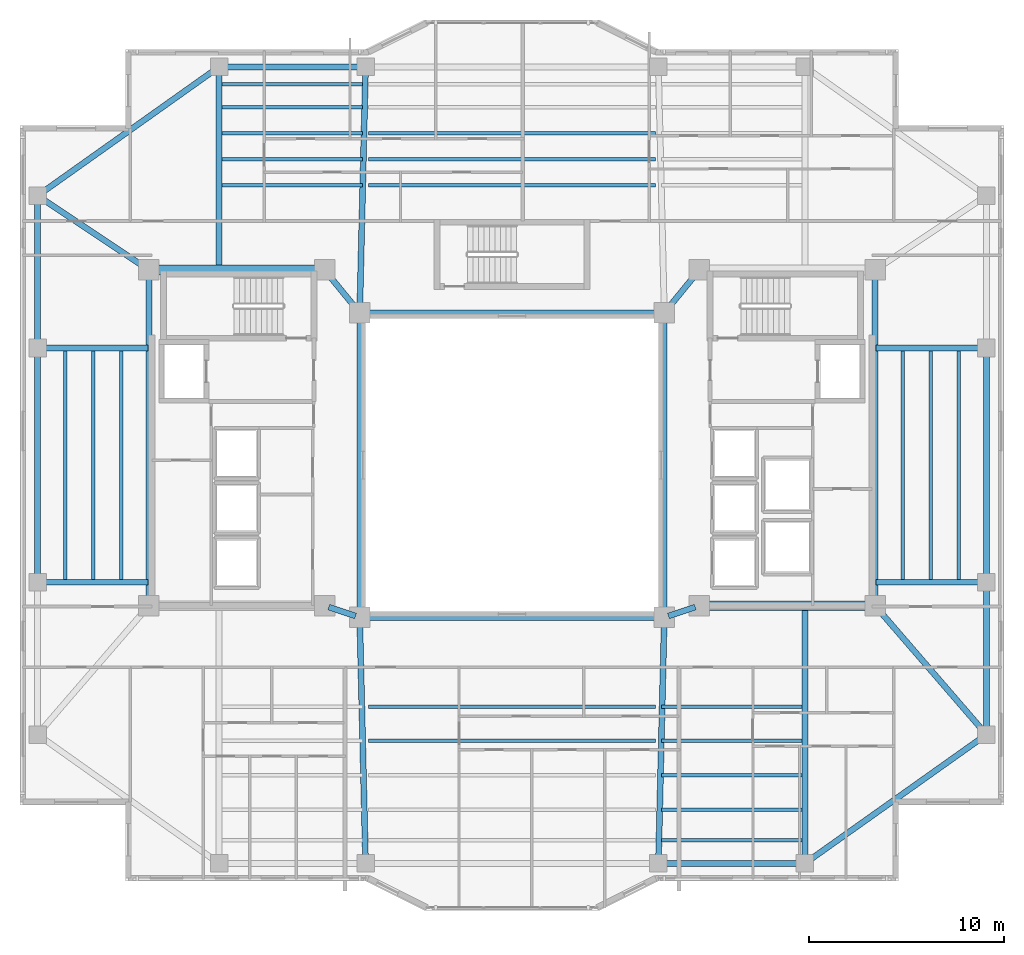
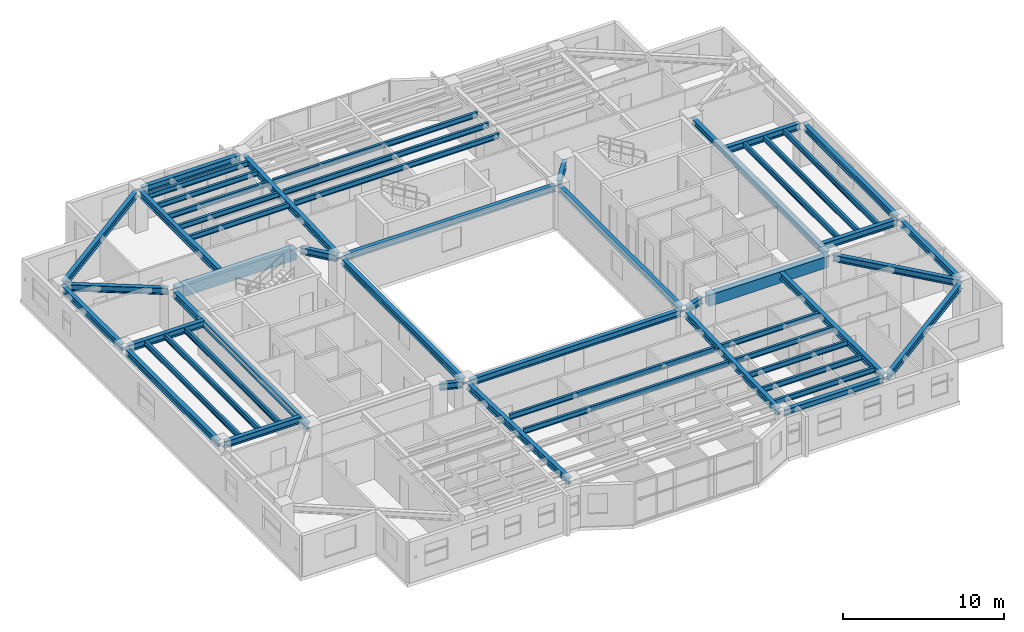
# One storey, part 3 of 16: 52 beams.
"""IFC4 building model written with IfcOpenShell, lengths in metres."""

from ifc_helpers import new_model, si_unit, direction, frame, origin, origin_2d, place, context, subcontext, project, spatial, rectangle, i_section, extrude, material, material_profile, profile_set, type_object, element, save


model = new_model("IFC4")

# Units and contexts
model_context = context("Model", 3, precision=1e-05, world=origin(), true_north=direction((0.0, 1.0)))
body_context = subcontext(model_context, "Body", "Model", "MODEL_VIEW")
ifc_project = project(units=[si_unit("LENGTHUNIT", "METRE"), si_unit("AREAUNIT", "SQUARE_METRE"), si_unit("VOLUMEUNIT", "CUBIC_METRE"), si_unit("PLANEANGLEUNIT", "RADIAN"), si_unit("MASSUNIT", "GRAM", prefix="KILO")], contexts=[model_context])

# Site, building, storey
site_placement = place(None, origin())
site = spatial("IfcSite", under=ifc_project, at=site_placement, CompositionType="ELEMENT")
building_placement = place(site_placement, origin())
building = spatial("IfcBuilding", under=site, at=building_placement, Name="Tarnavaz Court Tower", CompositionType="ELEMENT")
storey_placement = place(building_placement, frame((0.0, 0.0, 146.0)))
storey = spatial("IfcBuildingStorey", under=building, at=storey_placement, Name="L39", CompositionType="ELEMENT", Elevation=146.0)

# Beams
ifc_material_1 = material(Name="Concrete C50/60", Category="concrete")
ifc_material_profile_1 = material_profile(ifc_material_1, rectangle(XDim=0.5, YDim=0.85009765625, at=origin_2d()), Name="RC 500X850")
ifc_profile_set_1 = profile_set([ifc_material_profile_1], Name="Concrete C50/60")
beam_type_1 = type_object("IfcBeamType", Name="BM-CB850", PredefinedType="LINTEL", material=ifc_profile_set_1)
for number, where, z_axis, x_axis, name in (
    (1, (-18.3798828125, 10.0, 2.675048828125), (1.0, 0.0, 0.0), (0.0, 1.0, 0.0), "L39 Beam IN-CW-NO-CW-NI"),
    (2, (18.3798828125, -7.199951171875, 2.675048828125), (-1.0, 0.0, 0.0), (0.0, -1.0, 0.0), "L39 Beam IN-CE-SO-CE-SI"),
):
    element("IfcBeam", number, at=place(storey_placement, frame(where, z_axis=z_axis, x_axis=x_axis)), inside=storey, type_object=beam_type_1, Name=name, PredefinedType="LINTEL", context=body_context, shape_type="SweptSolid", body=[
        extrude(rectangle(XDim=0.5, YDim=0.85009765625, at=origin_2d()), origin(), (0.0, 0.0, 1.0), 8.559814453125),
    ])
ifc_material_2 = material(Name="Steel S355", Category="steel")
ifc_material_profile_2 = material_profile(ifc_material_2, i_section(OverallWidth=0.300048828125, OverallDepth=0.5, WebThickness=0.014404296875, FlangeThickness=0.028076171875, FilletRadius=0.027099609375, at=origin_2d()), Name="HEB 500")
ifc_profile_set_2 = profile_set([ifc_material_profile_2], Name="Steel S355")
beam_type_2 = type_object("IfcBeamType", Name="BM-G-HEB500", PredefinedType="USERDEFINED", material=ifc_profile_set_2)
for number, where, z_axis, x_axis, name in (
    (3, (-9.391357421875, -7.26953125, 2.85009765625), (0.948666544706, -0.316278021615, 0.0), (0.316278021615, 0.948666544706, 0.0), "L39 Beam IN-CW-SI-IW-SW"),
    (4, (9.391357421875, -7.26953125, 2.85009765625), (-0.948666544706, -0.316278021615, 0.0), (0.316278021615, -0.948666544706, 0.0), "L39 Beam IN-CE-SI-IW-SE"),
):
    element("IfcBeam", number, at=place(storey_placement, frame(where, z_axis=z_axis, x_axis=x_axis)), inside=storey, type_object=beam_type_2, Name=name, ObjectType="GIRDER", PredefinedType="USERDEFINED", context=body_context, shape_type="SweptSolid", body=[
        extrude(i_section(OverallWidth=0.300048828125, OverallDepth=0.5, WebThickness=0.014404296875, FlangeThickness=0.028076171875, FilletRadius=0.027099609375, at=origin_2d()), origin(), (0.0, 0.0, 1.0), 1.457275390625),
    ])
for number, where, z_axis, x_axis, name in (
    (5, (-9.460693359375, 9.82958984375, 2.85009765625), (0.633282058357, -0.773921077735, 0.0), (0.773921077735, 0.633282058357, 0.0), "L39 Beam IN-CW-NI-IW-NW"),
    (6, (9.460693359375, 9.82958984375, 2.85009765625), (-0.633282058357, -0.773921077735, 0.0), (0.773921077735, -0.633282058357, 0.0), "L39 Beam IN-CE-NI-IW-NE"),
):
    element("IfcBeam", number, at=place(storey_placement, frame(where, z_axis=z_axis, x_axis=x_axis)), inside=storey, type_object=beam_type_2, Name=name, ObjectType="GIRDER", PredefinedType="USERDEFINED", context=body_context, shape_type="SweptSolid", body=[
        extrude(i_section(OverallWidth=0.300048828125, OverallDepth=0.5, WebThickness=0.014404296875, FlangeThickness=0.028076171875, FilletRadius=0.027099609375, at=origin_2d()), origin(), (0.0, 0.0, 1.0), 2.402587890625),
    ])
for number, where, z_axis, x_axis, name in (
    (7, (-18.60009765625, -6.97998046875, 2.85009765625), (0.0, 1.0, 0.0), (-1.0, 0.0, 0.0), "L39 Beam IN-CW-SO-CW-NO"),
    (8, (18.60009765625, -6.97998046875, 2.85009765625), (0.0, 1.0, 0.0), (-1.0, 0.0, 0.0), "L39 Beam IN-CE-SO-CE-NO"),
):
    element("IfcBeam", number, at=place(storey_placement, frame(where, z_axis=z_axis, x_axis=x_axis)), inside=storey, type_object=beam_type_2, Name=name, ObjectType="GIRDER", PredefinedType="USERDEFINED", context=body_context, shape_type="SweptSolid", body=[
        extrude(i_section(OverallWidth=0.300048828125, OverallDepth=0.5, WebThickness=0.014404296875, FlangeThickness=0.028076171875, FilletRadius=0.027099609375, at=origin_2d()), origin(), (0.0, 0.0, 1.0), 16.760009765625),
    ])
beam_1_placement = place(storey_placement, frame((-15.0, 10.0400390625, 2.85009765625), z_axis=(0.0, 1.0, 0.0), x_axis=(-1.0, 0.0, 0.0)))
element("IfcBeam", 9, at=beam_1_placement, inside=storey, type_object=beam_type_2, Name="L39 Beam RG-01", ObjectType="GIRDER", PredefinedType="USERDEFINED", context=body_context, shape_type="SweptSolid", body=[
    extrude(i_section(OverallWidth=0.300048828125, OverallDepth=0.5, WebThickness=0.014404296875, FlangeThickness=0.028076171875, FilletRadius=0.027099609375, at=origin_2d()), origin(), (0.0, 0.0, 1.0), 10.139892578125),
])
for number, where, z_axis, x_axis, name in (
    (10, (-7.794921875, 8.02001953125, 2.85009765625), (0.023824748444, 0.999716150395, 0.0), (-0.999716150395, 0.023824748444, 0.0), "L39 Beam RG-02"),
    (11, (-7.794921875, -8.02001953125, 2.85009765625), (0.023824748444, -0.999716150395, 0.0), (0.999716150395, 0.023824748444, 0.0), "L39 Beam RG-06"),
    (12, (7.794921875, -8.02001953125, 2.85009765625), (-0.023824748444, -0.999716150395, 0.0), (0.999716150395, -0.023824748444, 0.0), "L39 Beam RG-07"),
):
    element("IfcBeam", number, at=place(storey_placement, frame(where, z_axis=z_axis, x_axis=x_axis)), inside=storey, type_object=beam_type_2, Name=name, ObjectType="GIRDER", PredefinedType="USERDEFINED", context=body_context, shape_type="SweptSolid", body=[
        extrude(i_section(OverallWidth=0.300048828125, OverallDepth=0.5, WebThickness=0.014404296875, FlangeThickness=0.028076171875, FilletRadius=0.027099609375, at=origin_2d()), origin(), (0.0, 0.0, 1.0), 12.16357421875),
    ])
beam_2_placement = place(storey_placement, frame((15.0, -7.239990234375, 2.85009765625), z_axis=(0.0, -1.0, 0.0), x_axis=(1.0, 0.0, 0.0)))
element("IfcBeam", 13, at=beam_2_placement, inside=storey, type_object=beam_type_2, Name="L39 Beam RG-08", ObjectType="GIRDER", PredefinedType="USERDEFINED", context=body_context, shape_type="SweptSolid", body=[
    extrude(i_section(OverallWidth=0.300048828125, OverallDepth=0.5, WebThickness=0.014404296875, FlangeThickness=0.028076171875, FilletRadius=0.027099609375, at=origin_2d()), origin(), (0.0, 0.0, 1.0), 12.93994140625),
])
for number, where, z_axis, x_axis, name in (
    (14, (18.639892578125, -6.0, 2.85009765625), (1.0, 0.0, 0.0), (0.0, 1.0, 0.0), "L39 Beam RG-09"),
    (15, (18.639892578125, 6.0, 2.85009765625), (1.0, 0.0, 0.0), (0.0, 1.0, 0.0), "L39 Beam RG-10"),
):
    element("IfcBeam", number, at=place(storey_placement, frame(where, z_axis=z_axis, x_axis=x_axis)), inside=storey, type_object=beam_type_2, Name=name, ObjectType="GIRDER", PredefinedType="USERDEFINED", context=body_context, shape_type="SweptSolid", body=[
        extrude(i_section(OverallWidth=0.300048828125, OverallDepth=0.5, WebThickness=0.014404296875, FlangeThickness=0.028076171875, FilletRadius=0.027099609375, at=origin_2d()), origin(), (0.0, 0.0, 1.0), 5.440185546875),
    ])
beam_3_placement = place(storey_placement, frame((18.743896484375, -7.366455078125, 2.85009765625), z_axis=(0.653610659012, -0.756830962914, 0.0), x_axis=(0.756830962914, 0.653610659012, 0.0)))
element("IfcBeam", 16, at=beam_3_placement, inside=storey, type_object=beam_type_2, Name="L39 Beam RG-11", ObjectType="GIRDER", PredefinedType="USERDEFINED", context=body_context, shape_type="SweptSolid", body=[
    extrude(i_section(OverallWidth=0.300048828125, OverallDepth=0.5, WebThickness=0.014404296875, FlangeThickness=0.028076171875, FilletRadius=0.027099609375, at=origin_2d()), origin(), (0.0, 0.0, 1.0), 8.28076171875),
])
for number, where, z_axis, x_axis, name in (
    (17, (-18.639892578125, -6.0, 2.85009765625), (-1.0, 0.0, 0.0), (0.0, -1.0, 0.0), "L39 Beam RG-13"),
    (18, (-18.639892578125, 6.0, 2.85009765625), (-1.0, 0.0, 0.0), (0.0, -1.0, 0.0), "L39 Beam RG-14"),
):
    element("IfcBeam", number, at=place(storey_placement, frame(where, z_axis=z_axis, x_axis=x_axis)), inside=storey, type_object=beam_type_2, Name=name, ObjectType="GIRDER", PredefinedType="USERDEFINED", context=body_context, shape_type="SweptSolid", body=[
        extrude(i_section(OverallWidth=0.300048828125, OverallDepth=0.5, WebThickness=0.014404296875, FlangeThickness=0.028076171875, FilletRadius=0.027099609375, at=origin_2d()), origin(), (0.0, 0.0, 1.0), 5.440185546875),
    ])
beam_4_placement = place(storey_placement, frame((-18.783203125, 10.1220703125, 2.85009765625), z_axis=(-0.832044435051, 0.554708985056, 0.0), x_axis=(-0.554708985056, -0.832044435051, 0.0)))
element("IfcBeam", 19, at=beam_4_placement, inside=storey, type_object=beam_type_2, Name="L39 Beam RG-16", ObjectType="GIRDER", PredefinedType="USERDEFINED", context=body_context, shape_type="SweptSolid", body=[
    extrude(i_section(OverallWidth=0.300048828125, OverallDepth=0.5, WebThickness=0.014404296875, FlangeThickness=0.028076171875, FilletRadius=0.027099609375, at=origin_2d()), origin(), (0.0, 0.0, 1.0), 6.410400390625),
])
ifc_material_profile_3 = material_profile(ifc_material_2, i_section(OverallWidth=0.179931640625, OverallDepth=0.39990234375, WebThickness=0.008544921875, FlangeThickness=0.013427734375, FilletRadius=0.02099609375, at=origin_2d()), Name="IPE 400")
ifc_profile_set_3 = profile_set([ifc_material_profile_3], Name="Steel S355")
beam_type_3 = type_object("IfcBeamType", Name="BM-J-IPE400", PredefinedType="JOIST", material=ifc_profile_set_3)
beam_5_placement = place(storey_placement, frame((-14.85009765625, 14.33203125, 2.89990234375), z_axis=(1.0, 0.0, 0.0), x_axis=(0.0, 1.0, 0.0)))
element("IfcBeam", 20, at=beam_5_placement, inside=storey, type_object=beam_type_3, Name="L39 Beam JN1-1", PredefinedType="JOIST", context=body_context, shape_type="SweptSolid", body=[
    extrude(i_section(OverallWidth=0.179931640625, OverallDepth=0.39990234375, WebThickness=0.008544921875, FlangeThickness=0.013427734375, FilletRadius=0.02099609375, at=origin_2d()), origin(), (0.0, 0.0, 1.0), 7.2001953125),
])
for number, where, z_axis, x_axis, name in (
    (21, (-7.35009765625, 14.33203125, 2.89990234375), (1.0, 0.0, 0.0), (0.0, 1.0, 0.0), "L39 Beam JN1-2"),
    (22, (-7.35009765625, -12.364013671875, 2.89990234375), (1.0, 0.0, 0.0), (0.0, 1.0, 0.0), "L39 Beam JS1-2"),
):
    element("IfcBeam", number, at=place(storey_placement, frame(where, z_axis=z_axis, x_axis=x_axis)), inside=storey, type_object=beam_type_3, Name=name, PredefinedType="JOIST", context=body_context, shape_type="SweptSolid", body=[
        extrude(i_section(OverallWidth=0.179931640625, OverallDepth=0.39990234375, WebThickness=0.008544921875, FlangeThickness=0.013427734375, FilletRadius=0.02099609375, at=origin_2d()), origin(), (0.0, 0.0, 1.0), 14.7001953125),
    ])
for number, where, z_axis, x_axis, name in (
    (23, (7.64990234375, -12.364013671875, 2.89990234375), (1.0, 0.0, 0.0), (0.0, 1.0, 0.0), "L39 Beam JS1-3"),
    (24, (-14.85009765625, 15.6640625, 2.89990234375), (1.0, 0.0, 0.0), (0.0, 1.0, 0.0), "L39 Beam JN2-1"),
):
    element("IfcBeam", number, at=place(storey_placement, frame(where, z_axis=z_axis, x_axis=x_axis)), inside=storey, type_object=beam_type_3, Name=name, PredefinedType="JOIST", context=body_context, shape_type="SweptSolid", body=[
        extrude(i_section(OverallWidth=0.179931640625, OverallDepth=0.39990234375, WebThickness=0.008544921875, FlangeThickness=0.013427734375, FilletRadius=0.02099609375, at=origin_2d()), origin(), (0.0, 0.0, 1.0), 7.2001953125),
    ])
for number, where, z_axis, x_axis, name in (
    (25, (-7.35009765625, 15.6640625, 2.89990234375), (1.0, 0.0, 0.0), (0.0, 1.0, 0.0), "L39 Beam JN2-2"),
    (26, (-7.35009765625, -14.1279296875, 2.89990234375), (1.0, 0.0, 0.0), (0.0, 1.0, 0.0), "L39 Beam JS2-2"),
):
    element("IfcBeam", number, at=place(storey_placement, frame(where, z_axis=z_axis, x_axis=x_axis)), inside=storey, type_object=beam_type_3, Name=name, PredefinedType="JOIST", context=body_context, shape_type="SweptSolid", body=[
        extrude(i_section(OverallWidth=0.179931640625, OverallDepth=0.39990234375, WebThickness=0.008544921875, FlangeThickness=0.013427734375, FilletRadius=0.02099609375, at=origin_2d()), origin(), (0.0, 0.0, 1.0), 14.7001953125),
    ])
for number, where, z_axis, x_axis, name in (
    (27, (7.64990234375, -14.1279296875, 2.89990234375), (1.0, 0.0, 0.0), (0.0, 1.0, 0.0), "L39 Beam JS2-3"),
    (28, (-14.85009765625, 16.99609375, 2.89990234375), (1.0, 0.0, 0.0), (0.0, 1.0, 0.0), "L39 Beam JN3-1"),
):
    element("IfcBeam", number, at=place(storey_placement, frame(where, z_axis=z_axis, x_axis=x_axis)), inside=storey, type_object=beam_type_3, Name=name, PredefinedType="JOIST", context=body_context, shape_type="SweptSolid", body=[
        extrude(i_section(OverallWidth=0.179931640625, OverallDepth=0.39990234375, WebThickness=0.008544921875, FlangeThickness=0.013427734375, FilletRadius=0.02099609375, at=origin_2d()), origin(), (0.0, 0.0, 1.0), 7.2001953125),
    ])
beam_6_placement = place(storey_placement, frame((-7.35009765625, 16.99609375, 2.89990234375), z_axis=(1.0, 0.0, 0.0), x_axis=(0.0, 1.0, 0.0)))
element("IfcBeam", 29, at=beam_6_placement, inside=storey, type_object=beam_type_3, Name="L39 Beam JN3-2", PredefinedType="JOIST", context=body_context, shape_type="SweptSolid", body=[
    extrude(i_section(OverallWidth=0.179931640625, OverallDepth=0.39990234375, WebThickness=0.008544921875, FlangeThickness=0.013427734375, FilletRadius=0.02099609375, at=origin_2d()), origin(), (0.0, 0.0, 1.0), 14.7001953125),
])
for number, where, z_axis, x_axis, name in (
    (30, (7.64990234375, -15.89208984375, 2.89990234375), (1.0, 0.0, 0.0), (0.0, 1.0, 0.0), "L39 Beam JS3-3"),
    (31, (-14.85009765625, 18.327880859375, 2.89990234375), (1.0, 0.0, 0.0), (0.0, 1.0, 0.0), "L39 Beam JN4-1"),
    (32, (7.64990234375, -17.656005859375, 2.89990234375), (1.0, 0.0, 0.0), (0.0, 1.0, 0.0), "L39 Beam JS4-3"),
    (33, (-14.85009765625, 19.511962890625, 2.89990234375), (1.0, 0.0, 0.0), (0.0, 1.0, 0.0), "L39 Beam JN5-1"),
    (34, (7.64990234375, -19.22412109375, 2.89990234375), (1.0, 0.0, 0.0), (0.0, 1.0, 0.0), "L39 Beam JS5-3"),
):
    element("IfcBeam", number, at=place(storey_placement, frame(where, z_axis=z_axis, x_axis=x_axis)), inside=storey, type_object=beam_type_3, Name=name, PredefinedType="JOIST", context=body_context, shape_type="SweptSolid", body=[
        extrude(i_section(OverallWidth=0.179931640625, OverallDepth=0.39990234375, WebThickness=0.008544921875, FlangeThickness=0.013427734375, FilletRadius=0.02099609375, at=origin_2d()), origin(), (0.0, 0.0, 1.0), 7.2001953125),
    ])
for number, where, z_axis, x_axis, name in (
    (35, (20.02490234375, -5.9599609375, 2.89990234375), (0.0, 1.0, 0.0), (-1.0, 0.0, 0.0), "L39 Beam JE1"),
    (36, (-20.02490234375, -5.9599609375, 2.89990234375), (0.0, 1.0, 0.0), (-1.0, 0.0, 0.0), "L39 Beam JW1"),
    (37, (21.449951171875, -5.9599609375, 2.89990234375), (0.0, 1.0, 0.0), (-1.0, 0.0, 0.0), "L39 Beam JE2"),
    (38, (-21.449951171875, -5.9599609375, 2.89990234375), (0.0, 1.0, 0.0), (-1.0, 0.0, 0.0), "L39 Beam JW2"),
    (39, (22.875, -5.9599609375, 2.89990234375), (0.0, 1.0, 0.0), (-1.0, 0.0, 0.0), "L39 Beam JE3"),
    (40, (-22.875, -5.9599609375, 2.89990234375), (0.0, 1.0, 0.0), (-1.0, 0.0, 0.0), "L39 Beam JW3"),
):
    element("IfcBeam", number, at=place(storey_placement, frame(where, z_axis=z_axis, x_axis=x_axis)), inside=storey, type_object=beam_type_3, Name=name, PredefinedType="JOIST", context=body_context, shape_type="SweptSolid", body=[
        extrude(i_section(OverallWidth=0.179931640625, OverallDepth=0.39990234375, WebThickness=0.008544921875, FlangeThickness=0.013427734375, FilletRadius=0.02099609375, at=origin_2d()), origin(), (0.0, 0.0, 1.0), 11.919921875),
    ])
ifc_material_profile_4 = material_profile(ifc_material_2, i_section(OverallWidth=0.300048828125, OverallDepth=0.489990234375, WebThickness=0.011962890625, FlangeThickness=0.02294921875, FilletRadius=0.027099609375, at=origin_2d()), Name="HEA 500")
ifc_profile_set_4 = profile_set([ifc_material_profile_4], Name="Steel S355")
beam_type_4 = type_object("IfcBeamType", Name="BM-SP-HEA500", PredefinedType="SPANDREL", material=ifc_profile_set_4)
for number, where, z_axis, x_axis, name in (
    (41, (-7.580078125, -7.800048828125, 2.85498046875), (1.0, 0.0, 0.0), (0.0, 1.0, 0.0), "L39 Beam IN-IW-SW-IW-SE"),
    (42, (-7.580078125, 7.800048828125, 2.85498046875), (1.0, 0.0, 0.0), (0.0, 1.0, 0.0), "L39 Beam IN-IW-NW-IW-NE"),
    (43, (-7.800048828125, -7.580078125, 2.85498046875), (0.0, 1.0, 0.0), (-1.0, 0.0, 0.0), "L39 Beam IN-IW-SW-IW-NW"),
    (44, (7.800048828125, -7.580078125, 2.85498046875), (0.0, 1.0, 0.0), (-1.0, 0.0, 0.0), "L39 Beam IN-IW-SE-IW-NE"),
):
    element("IfcBeam", number, at=place(storey_placement, frame(where, z_axis=z_axis, x_axis=x_axis)), inside=storey, type_object=beam_type_4, Name=name, PredefinedType="SPANDREL", context=body_context, shape_type="SweptSolid", body=[
        extrude(i_section(OverallWidth=0.300048828125, OverallDepth=0.489990234375, WebThickness=0.011962890625, FlangeThickness=0.02294921875, FilletRadius=0.027099609375, at=origin_2d()), origin(), (0.0, 0.0, 1.0), 15.16015625),
    ])
for number, where, z_axis, x_axis, name in (
    (45, (-14.780029296875, 20.39990234375, 2.85498046875), (1.0, 0.0, 0.0), (0.0, 1.0, 0.0), "L39 Beam PR-PN-1-PN-2"),
    (46, (7.719970703125, -20.39990234375, 2.85498046875), (1.0, 0.0, 0.0), (0.0, 1.0, 0.0), "L39 Beam PR-PS-3-PS-4"),
):
    element("IfcBeam", number, at=place(storey_placement, frame(where, z_axis=z_axis, x_axis=x_axis)), inside=storey, type_object=beam_type_4, Name=name, PredefinedType="SPANDREL", context=body_context, shape_type="SweptSolid", body=[
        extrude(i_section(OverallWidth=0.300048828125, OverallDepth=0.489990234375, WebThickness=0.011962890625, FlangeThickness=0.02294921875, FilletRadius=0.027099609375, at=origin_2d()), origin(), (0.0, 0.0, 1.0), 7.06005859375),
    ])
beam_7_placement = place(storey_placement, frame((24.300048828125, -13.580078125, 2.85498046875), z_axis=(0.0, 1.0, 0.0), x_axis=(-1.0, 0.0, 0.0)))
element("IfcBeam", 47, at=beam_7_placement, inside=storey, type_object=beam_type_4, Name="L39 Beam PR-PE-1-PE-2", PredefinedType="SPANDREL", context=body_context, shape_type="SweptSolid", body=[
    extrude(i_section(OverallWidth=0.300048828125, OverallDepth=0.489990234375, WebThickness=0.011962890625, FlangeThickness=0.02294921875, FilletRadius=0.027099609375, at=origin_2d()), origin(), (0.0, 0.0, 1.0), 7.360107421875),
])
for number, where, z_axis, x_axis, name in (
    (48, (24.300048828125, -5.780029296875, 2.85498046875), (0.0, 1.0, 0.0), (-1.0, 0.0, 0.0), "L39 Beam PR-PE-2-PE-3"),
    (49, (-24.300048828125, -5.780029296875, 2.85498046875), (0.0, 1.0, 0.0), (-1.0, 0.0, 0.0), "L39 Beam PR-PW-2-PW-3"),
):
    element("IfcBeam", number, at=place(storey_placement, frame(where, z_axis=z_axis, x_axis=x_axis)), inside=storey, type_object=beam_type_4, Name=name, PredefinedType="SPANDREL", context=body_context, shape_type="SweptSolid", body=[
        extrude(i_section(OverallWidth=0.300048828125, OverallDepth=0.489990234375, WebThickness=0.011962890625, FlangeThickness=0.02294921875, FilletRadius=0.027099609375, at=origin_2d()), origin(), (0.0, 0.0, 1.0), 11.56005859375),
    ])
beam_8_placement = place(storey_placement, frame((-24.300048828125, 6.219970703125, 2.85498046875), z_axis=(0.0, 1.0, 0.0), x_axis=(-1.0, 0.0, 0.0)))
element("IfcBeam", 50, at=beam_8_placement, inside=storey, type_object=beam_type_4, Name="L39 Beam PR-PW-3-PW-4", PredefinedType="SPANDREL", context=body_context, shape_type="SweptSolid", body=[
    extrude(i_section(OverallWidth=0.300048828125, OverallDepth=0.489990234375, WebThickness=0.011962890625, FlangeThickness=0.02294921875, FilletRadius=0.027099609375, at=origin_2d()), origin(), (0.0, 0.0, 1.0), 7.360107421875),
])
for number, where, z_axis, x_axis, name in (
    (51, (24.12060546875, -13.92724609375, 2.85498046875), (-0.815502059396, -0.57875417158, 0.0), (0.57875417158, -0.815502059396, 0.0), "L39 Beam PR-PE-1-PS-4"),
    (52, (-24.12060546875, 13.92724609375, 2.85498046875), (0.815502059396, 0.57875417158, 0.0), (-0.57875417158, 0.815502059396, 0.0), "L39 Beam PR-PW-4-PN-1"),
):
    element("IfcBeam", number, at=place(storey_placement, frame(where, z_axis=z_axis, x_axis=x_axis)), inside=storey, type_object=beam_type_4, Name=name, PredefinedType="SPANDREL", context=body_context, shape_type="SweptSolid", body=[
        extrude(i_section(OverallWidth=0.300048828125, OverallDepth=0.489990234375, WebThickness=0.011962890625, FlangeThickness=0.02294921875, FilletRadius=0.027099609375, at=origin_2d()), origin(), (0.0, 0.0, 1.0), 10.964111328125),
    ])

save(model, "model.ifc")
